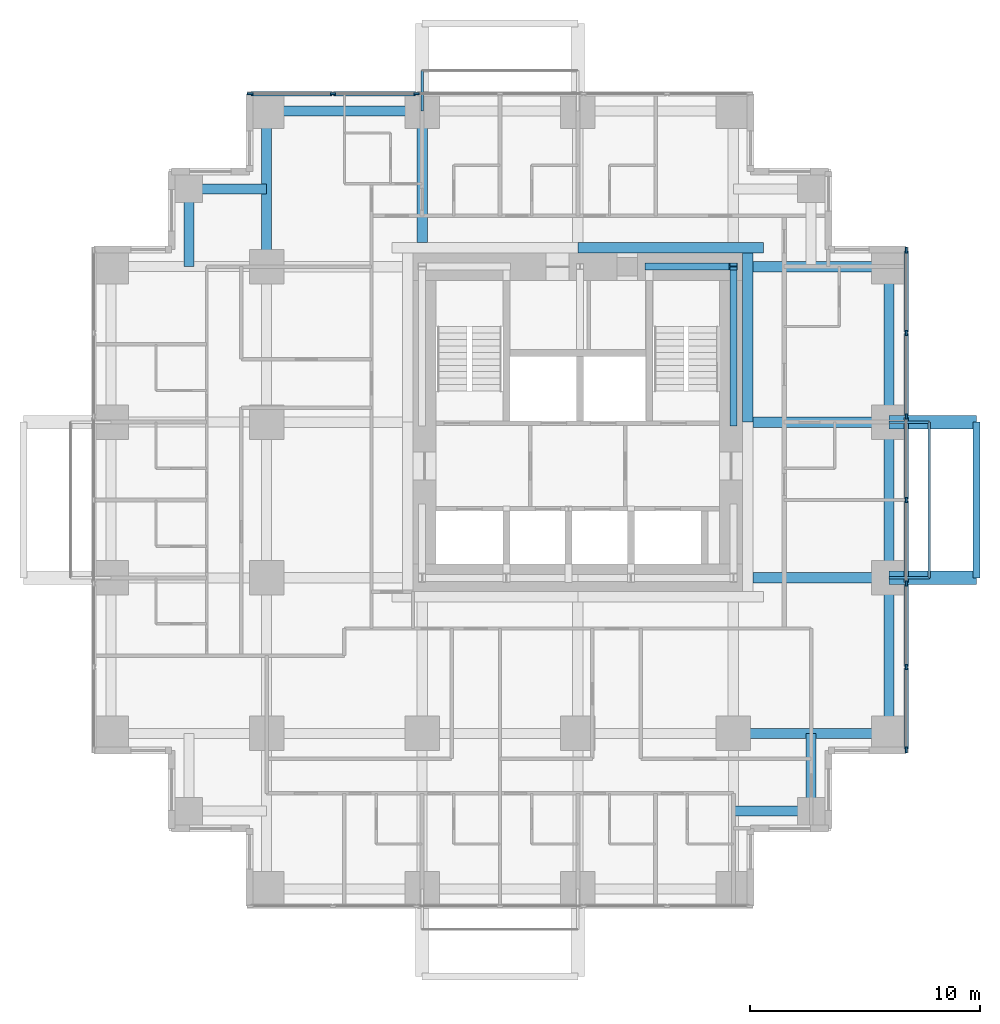
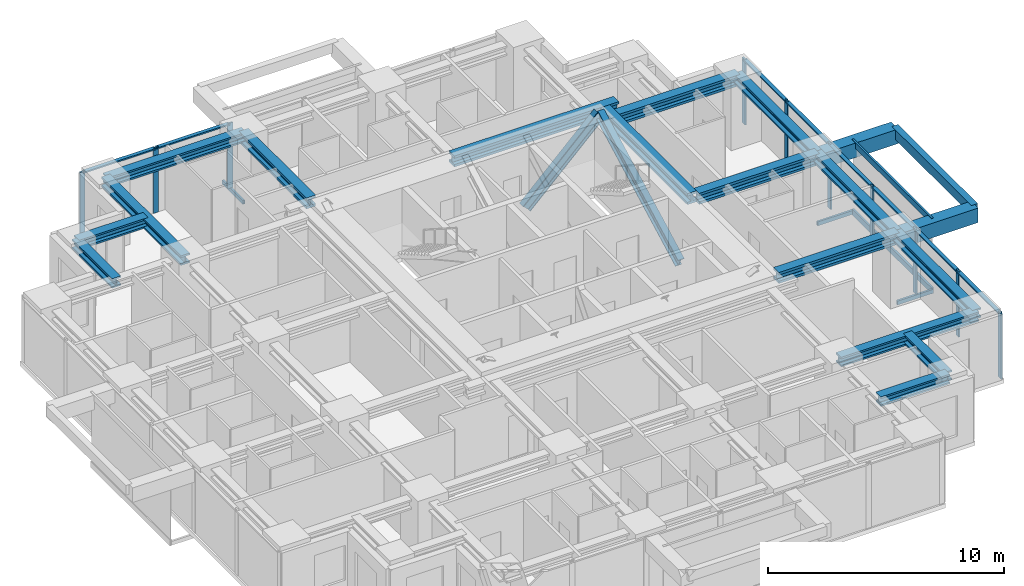
# One storey, part 3 of 11: 25 members, 19 beams, 2 elements without a shape of their own.
"""IFC4 building model written with IfcOpenShell, lengths in metres."""

from ifc_helpers import new_model, si_unit, direction, frame, origin, origin_2d, place, context, subcontext, project, spatial, rectangle, hollow_rectangle, i_section, extrude, material, material_profile, profile_set, type_object, element, aggregate, save


model = new_model("IFC4")

# Units and contexts
model_context = context("Model", 3, precision=1e-05, world=origin(), true_north=direction((0.0, 1.0)))
body_context = subcontext(model_context, "Body", "Model", "MODEL_VIEW")
ifc_project = project(units=[si_unit("LENGTHUNIT", "METRE"), si_unit("AREAUNIT", "SQUARE_METRE"), si_unit("VOLUMEUNIT", "CUBIC_METRE"), si_unit("PLANEANGLEUNIT", "RADIAN"), si_unit("MASSUNIT", "GRAM", prefix="KILO")], contexts=[model_context])

# Site, building, storey
site_placement = place(None, origin())
site = spatial("IfcSite", under=ifc_project, at=site_placement, CompositionType="ELEMENT")
building_placement = place(site_placement, origin())
building = spatial("IfcBuilding", under=site, at=building_placement, Name="Nyansa Garden Tower", CompositionType="ELEMENT")
storey_placement = place(building_placement, frame((0.0, 0.0, 160.199951171875)))
storey = spatial("IfcBuildingStorey", under=building, at=storey_placement, Name="L43", CompositionType="ELEMENT", Elevation=160.199951171875)

# Beams
ifc_material_1 = material(Name="Concrete C70/85", Category="concrete")
ifc_material_profile_1 = material_profile(ifc_material_1, rectangle(XDim=0.60009765625, YDim=0.75, at=origin_2d()), Name="RC 600x750")
ifc_profile_set_1 = profile_set([ifc_material_profile_1], Name="Concrete C70/85")
beam_type_1 = type_object("IfcBeamType", Name="Balcony cantilever beam CB1 RC 600x750", PredefinedType="BEAM", material=ifc_profile_set_1)
for number, where, z_axis, x_axis, name in (
    (1, (33.75, 13.5, 2.985107421875), (1.0, 0.0, 0.0), (0.0, 1.0, 0.0), "Balcony cantilever beam L44"),
    (2, (33.75, 20.25, 2.985107421875), (1.0, 0.0, 0.0), (0.0, 1.0, 0.0), "Balcony cantilever beam L44"),
):
    element("IfcBeam", number, at=place(storey_placement, frame(where, z_axis=z_axis, x_axis=x_axis)), inside=storey, type_object=beam_type_1, Name=name, PredefinedType="BEAM", context=body_context, shape_type="SweptSolid", body=[
        extrude(rectangle(XDim=0.60009765625, YDim=0.75, at=origin_2d()), origin(), (0.0, 0.0, 1.0), 3.800048828125),
    ])
ifc_material_2 = material(Name="Concrete C70/85", Category="concrete")
ifc_material_profile_2 = material_profile(ifc_material_2, rectangle(XDim=0.300048828125, YDim=0.5, at=origin_2d()), Name="RC 300x500")
ifc_profile_set_2 = profile_set([ifc_material_profile_2], Name="Concrete C70/85")
beam_type_2 = type_object("IfcBeamType", Name="Balcony edge beam BE1 RC 300x500", PredefinedType="BEAM", material=ifc_profile_set_2)
beam_1_placement = place(storey_placement, frame((37.550048828125, 13.5, 3.110107421875), z_axis=(0.0, 1.0, 0.0), x_axis=(-1.0, 0.0, 0.0)))
element("IfcBeam", 3, at=beam_1_placement, inside=storey, type_object=beam_type_2, Name="Balcony edge beam L44", PredefinedType="BEAM", context=body_context, shape_type="SweptSolid", body=[
    extrude(rectangle(XDim=0.300048828125, YDim=0.5, at=origin_2d()), origin(), (0.0, 0.0, 1.0), 6.75),
])

# Curtain wall, members
ifc_material_3 = material(Name="Black anodised aluminium, dark tinted double glazing", Category="aluminium")
curtain_wall_type = type_object("IfcCurtainWallType", Name="Inner skin curtain wall ISW-C", PredefinedType="USERDEFINED", material=ifc_material_3)
curtain_wall_1_placement = place(storey_placement, origin())
curtain_wall_1 = element("IfcCurtainWall", 4, at=curtain_wall_1_placement, inside=storey, type_object=curtain_wall_type, Name="Inner skin curtain wall L43 E", ObjectType="UNITISED CURTAIN WALL", PredefinedType="USERDEFINED")
ifc_material_4 = material(Name="Black anodised aluminium", Category="aluminium")
ifc_material_profile_3 = material_profile(ifc_material_4, rectangle(XDim=0.070068359375, YDim=0.25, at=origin_2d()), Name="Mullion 250x70")
ifc_profile_set_3 = profile_set([ifc_material_profile_3], Name="Black anodised aluminium")
member_type_1 = type_object("IfcMemberType", Name="Mullion ISW-C 250x70", PredefinedType="MULLION", material=ifc_profile_set_3)
member_1_placement = place(storey_placement, frame((34.5, 6.034912109375, 0.0), z_axis=(0.0, 0.0, 1.0), x_axis=(-1.0, 0.0, 0.0)))
member_1 = element("IfcMember", 5, at=member_1_placement, type_object=member_type_1, Name="ISW-C mullion 1", PredefinedType="MULLION", context=body_context, shape_type="SweptSolid", body=[
    extrude(rectangle(XDim=0.070068359375, YDim=0.25, at=origin_2d()), origin(), (0.0, 0.0, 1.0), 3.375),
])
member_2_placement = place(storey_placement, frame((34.5, 9.625, 0.0), z_axis=(0.0, 0.0, 1.0), x_axis=(-1.0, 0.0, 0.0)))
member_2 = element("IfcMember", 6, at=member_2_placement, type_object=member_type_1, Name="ISW-C mullion 2", PredefinedType="MULLION", context=body_context, shape_type="SweptSolid", body=[
    extrude(rectangle(XDim=0.070068359375, YDim=0.25, at=origin_2d()), origin(), (0.0, 0.0, 1.0), 3.375),
])
member_3_placement = place(storey_placement, frame((34.5, 13.25, 0.0), z_axis=(0.0, 0.0, 1.0), x_axis=(-1.0, 0.0, 0.0)))
member_3 = element("IfcMember", 7, at=member_3_placement, type_object=member_type_1, Name="ISW-C mullion 3", PredefinedType="MULLION", context=body_context, shape_type="SweptSolid", body=[
    extrude(rectangle(XDim=0.070068359375, YDim=0.25, at=origin_2d()), origin(), (0.0, 0.0, 1.0), 3.375),
])
member_4_placement = place(storey_placement, frame((34.5, 16.875, 0.0), z_axis=(0.0, 0.0, 1.0), x_axis=(-1.0, 0.0, 0.0)))
member_4 = element("IfcMember", 8, at=member_4_placement, type_object=member_type_1, Name="ISW-C mullion 4", PredefinedType="MULLION", context=body_context, shape_type="SweptSolid", body=[
    extrude(rectangle(XDim=0.070068359375, YDim=0.25, at=origin_2d()), origin(), (0.0, 0.0, 1.0), 3.375),
])
member_5_placement = place(storey_placement, frame((34.5, 20.5, 0.0), z_axis=(0.0, 0.0, 1.0), x_axis=(-1.0, 0.0, 0.0)))
member_5 = element("IfcMember", 9, at=member_5_placement, type_object=member_type_1, Name="ISW-C mullion 5", PredefinedType="MULLION", context=body_context, shape_type="SweptSolid", body=[
    extrude(rectangle(XDim=0.070068359375, YDim=0.25, at=origin_2d()), origin(), (0.0, 0.0, 1.0), 3.375),
])
member_6_placement = place(storey_placement, frame((34.5, 24.125, 0.0), z_axis=(0.0, 0.0, 1.0), x_axis=(-1.0, 0.0, 0.0)))
member_6 = element("IfcMember", 10, at=member_6_placement, type_object=member_type_1, Name="ISW-C mullion 6", PredefinedType="MULLION", context=body_context, shape_type="SweptSolid", body=[
    extrude(rectangle(XDim=0.070068359375, YDim=0.25, at=origin_2d()), origin(), (0.0, 0.0, 1.0), 3.375),
])
member_7_placement = place(storey_placement, frame((34.5, 27.715087890625, 0.0), z_axis=(0.0, 0.0, 1.0), x_axis=(-1.0, 0.0, 0.0)))
member_7 = element("IfcMember", 11, at=member_7_placement, type_object=member_type_1, Name="ISW-C mullion 7", PredefinedType="MULLION", context=body_context, shape_type="SweptSolid", body=[
    extrude(rectangle(XDim=0.070068359375, YDim=0.25, at=origin_2d()), origin(), (0.0, 0.0, 1.0), 3.375),
])

curtain_wall_2_placement = place(storey_placement, origin())
curtain_wall_2 = element("IfcCurtainWall", 12, at=curtain_wall_2_placement, inside=storey, type_object=curtain_wall_type, Name="Inner skin curtain wall L43 N", ObjectType="UNITISED CURTAIN WALL", PredefinedType="USERDEFINED")
member_8_placement = place(storey_placement, frame((13.25, 34.5, 0.0), z_axis=(0.0, 0.0, 1.0), x_axis=(0.0, -1.0, 0.0)))
member_8 = element("IfcMember", 13, at=member_8_placement, type_object=member_type_1, Name="ISW-C mullion 5", PredefinedType="MULLION", context=body_context, shape_type="SweptSolid", body=[
    extrude(rectangle(XDim=0.070068359375, YDim=0.25, at=origin_2d()), origin(), (0.0, 0.0, 1.0), 3.375),
])
member_9_placement = place(storey_placement, frame((9.625, 34.5, 0.0), z_axis=(0.0, 0.0, 1.0), x_axis=(0.0, -1.0, 0.0)))
member_9 = element("IfcMember", 14, at=member_9_placement, type_object=member_type_1, Name="ISW-C mullion 6", PredefinedType="MULLION", context=body_context, shape_type="SweptSolid", body=[
    extrude(rectangle(XDim=0.070068359375, YDim=0.25, at=origin_2d()), origin(), (0.0, 0.0, 1.0), 3.375),
])
member_10_placement = place(storey_placement, frame((6.034912109375, 34.5, 0.0), z_axis=(0.0, 0.0, 1.0), x_axis=(0.0, -1.0, 0.0)))
member_10 = element("IfcMember", 15, at=member_10_placement, type_object=member_type_1, Name="ISW-C mullion 7", PredefinedType="MULLION", context=body_context, shape_type="SweptSolid", body=[
    extrude(rectangle(XDim=0.070068359375, YDim=0.25, at=origin_2d()), origin(), (0.0, 0.0, 1.0), 3.375),
])

# Members
ifc_material_5 = material(Name="Steel S355, black powder coated", Category="steel")
ifc_material_profile_4 = material_profile(ifc_material_5, hollow_rectangle(XDim=0.10009765625, YDim=0.199951171875, WallThickness=0.008056640625, at=origin_2d()), Name="RHS 200x100x8")
ifc_profile_set_4 = profile_set([ifc_material_profile_4], Name="Steel S355, black powder coated")
member_type_2 = type_object("IfcMemberType", Name="Outer skin bracket arm RHS 200x100x8", PredefinedType="USERDEFINED", material=ifc_profile_set_4)
for number, where, z_axis, x_axis, name in (
    (16, (33.75, 13.5, -0.375), (1.0, 0.0, 0.0), (0.0, 1.0, 0.0), "Outer skin bracket arm"),
    (17, (33.75, 20.25, -0.375), (1.0, 0.0, 0.0), (0.0, 1.0, 0.0), "Outer skin bracket arm"),
    (18, (13.5, 33.75, -0.375), (0.0, 1.0, 0.0), (-1.0, 0.0, 0.0), "Outer skin bracket arm"),
):
    element("IfcMember", number, at=place(storey_placement, frame(where, z_axis=z_axis, x_axis=x_axis)), inside=storey, type_object=member_type_2, Name=name, ObjectType="OUTER SKIN BRACKET", PredefinedType="USERDEFINED", context=body_context, shape_type="SweptSolid", body=[
        extrude(hollow_rectangle(XDim=0.10009765625, YDim=0.199951171875, WallThickness=0.008056640625, at=origin_2d()), origin(), (0.0, 0.0, 1.0), 1.75),
    ])
ifc_material_6 = material(Name="Steel S355, black powder coated", Category="steel")
ifc_material_profile_5 = material_profile(ifc_material_6, hollow_rectangle(XDim=0.10009765625, YDim=0.300048828125, WallThickness=0.010009765625, at=origin_2d()), Name="RHS 300x100x10")
ifc_profile_set_5 = profile_set([ifc_material_profile_5], Name="Steel S355, black powder coated")
member_type_3 = type_object("IfcMemberType", Name="Outer skin rail RHS 300x100x10", PredefinedType="USERDEFINED", material=ifc_profile_set_5)
for number, where, z_axis, x_axis, name in (
    (19, (35.5, 13.5, -0.375), (0.0, 1.0, 0.0), (-1.0, 0.0, 0.0), "Outer skin rail L43"),
    (20, (35.5, 13.5, 3.22509765625), (0.0, 1.0, 0.0), (-1.0, 0.0, 0.0), "Outer skin rail L43 head"),
):
    element("IfcMember", number, at=place(storey_placement, frame(where, z_axis=z_axis, x_axis=x_axis)), inside=storey, type_object=member_type_3, Name=name, ObjectType="OUTER SKIN RAIL", PredefinedType="USERDEFINED", context=body_context, shape_type="SweptSolid", body=[
        extrude(hollow_rectangle(XDim=0.10009765625, YDim=0.300048828125, WallThickness=0.010009765625, at=origin_2d()), origin(), (0.0, 0.0, 1.0), 6.75),
    ])
ifc_material_7 = material(Name="Steel S355", Category="steel")
ifc_material_profile_6 = material_profile(ifc_material_7, i_section(OverallWidth=0.305908203125, OverallDepth=0.52392578125, WebThickness=0.02099609375, FlangeThickness=0.0400390625, FilletRadius=0.027099609375, at=origin_2d()), Name="HE 500 M")
ifc_profile_set_6 = profile_set([ifc_material_profile_6], Name="Steel S355")
member_type_4 = type_object("IfcMemberType", Name="Perimeter brace HE 500 M", PredefinedType="BRACE", material=ifc_profile_set_6)
member_11_placement = place(storey_placement, frame((23.35009765625, 27.0, 0.0), z_axis=(0.711947531702, 0.0, 0.702232662373), x_axis=(0.0, 1.0, 0.0)))
element("IfcMember", 21, at=member_11_placement, inside=storey, type_object=member_type_4, Name="Core brace CN4 L43", PredefinedType="BRACE", context=body_context, shape_type="SweptSolid", body=[
    extrude(i_section(OverallWidth=0.305908203125, OverallDepth=0.52392578125, WebThickness=0.02099609375, FlangeThickness=0.0400390625, FilletRadius=0.027099609375, at=origin_2d()), origin(), (0.0, 0.0, 1.0), 5.126708984375),
])
member_12_placement = place(storey_placement, frame((27.0, 20.199951171875, 0.0), z_axis=(0.0, 0.883784057226, 0.467895009796), x_axis=(-1.0, 0.0, 0.0)))
element("IfcMember", 22, at=member_12_placement, inside=storey, type_object=member_type_4, Name="Core brace CE8 L43", PredefinedType="BRACE", context=body_context, shape_type="SweptSolid", body=[
    extrude(i_section(OverallWidth=0.305908203125, OverallDepth=0.52392578125, WebThickness=0.02099609375, FlangeThickness=0.0400390625, FilletRadius=0.027099609375, at=origin_2d()), origin(), (0.0, 0.0, 1.0), 7.6943359375),
])

# Beams
ifc_material_8 = material(Name="Steel S355", Category="steel")
ifc_material_profile_7 = material_profile(ifc_material_8, i_section(OverallWidth=0.431884765625, OverallDepth=0.498046875, WebThickness=0.0556640625, FlangeThickness=0.0888671875, FilletRadius=0.014892578125, at=origin_2d()), Name="HD 400x744")
ifc_profile_set_7 = profile_set([ifc_material_profile_7], Name="Steel S355")
beam_type_3 = type_object("IfcBeamType", Name="Steel beam SBC1-744 HD 400x744", PredefinedType="BEAM", material=ifc_profile_set_7)
for number, where, z_axis, x_axis, name in (
    (23, (6.75, 27.0, 3.1259765625), (0.0, 1.0, 0.0), (-1.0, 0.0, 0.0), "Steel beam 3/H-3/J L44"),
    (24, (27.0, 6.75, 3.1259765625), (1.0, 0.0, 0.0), (0.0, 1.0, 0.0), "Steel beam 6/E-7/E L44"),
):
    element("IfcBeam", number, at=place(storey_placement, frame(where, z_axis=z_axis, x_axis=x_axis)), inside=storey, type_object=beam_type_3, Name=name, PredefinedType="BEAM", context=body_context, shape_type="SweptSolid", body=[
        extrude(i_section(OverallWidth=0.431884765625, OverallDepth=0.498046875, WebThickness=0.0556640625, FlangeThickness=0.0888671875, FilletRadius=0.014892578125, at=origin_2d()), origin(), (0.0, 0.0, 1.0), 6.75),
    ])
ifc_material_9 = material(Name="Steel S355", Category="steel")
ifc_material_profile_8 = material_profile(ifc_material_9, i_section(OverallWidth=0.4541015625, OverallDepth=0.569091796875, WebThickness=0.077880859375, FlangeThickness=0.125, FilletRadius=0.014892578125, at=origin_2d()), Name="HD 400x1086")
ifc_profile_set_8 = profile_set([ifc_material_profile_8], Name="Steel S355")
beam_type_4 = type_object("IfcBeamType", Name="Steel beam SCL-1086 HD 400x1086", PredefinedType="BEAM", material=ifc_profile_set_8)
beam_2_placement = place(storey_placement, frame((13.5, 28.050048828125, 3.090576171875), z_axis=(0.0, 1.0, 0.0), x_axis=(-1.0, 0.0, 0.0)))
element("IfcBeam", 25, at=beam_2_placement, inside=storey, type_object=beam_type_4, Name="Steel beam 4/28.050-4/J L44", PredefinedType="BEAM", context=body_context, shape_type="SweptSolid", body=[
    extrude(i_section(OverallWidth=0.4541015625, OverallDepth=0.569091796875, WebThickness=0.077880859375, FlangeThickness=0.125, FilletRadius=0.014892578125, at=origin_2d()), origin(), (0.0, 0.0, 1.0), 5.699951171875),
])
for number, where, z_axis, x_axis, name in (
    (26, (27.85009765625, 13.5, 3.090576171875), (1.0, 0.0, 0.0), (0.0, 1.0, 0.0), "Steel beam 27.850/F-7/F L44"),
    (27, (27.85009765625, 20.25, 3.090576171875), (1.0, 0.0, 0.0), (0.0, 1.0, 0.0), "Steel beam 27.850/G-7/G L44"),
    (28, (27.85009765625, 27.0, 3.090576171875), (1.0, 0.0, 0.0), (0.0, 1.0, 0.0), "Steel beam 27.850/H-7/H L44"),
):
    element("IfcBeam", number, at=place(storey_placement, frame(where, z_axis=z_axis, x_axis=x_axis)), inside=storey, type_object=beam_type_4, Name=name, PredefinedType="BEAM", context=body_context, shape_type="SweptSolid", body=[
        extrude(i_section(OverallWidth=0.4541015625, OverallDepth=0.569091796875, WebThickness=0.077880859375, FlangeThickness=0.125, FilletRadius=0.014892578125, at=origin_2d()), origin(), (0.0, 0.0, 1.0), 5.89990234375),
    ])
beam_3_placement = place(storey_placement, frame((27.626953125, 20.25, 3.090576171875), z_axis=(0.0, 1.0, 0.0), x_axis=(-1.0, 0.0, 0.0)))
element("IfcBeam", 29, at=beam_3_placement, inside=storey, type_object=beam_type_4, Name="Steel core ledger beam E.2 L44", PredefinedType="BEAM", context=body_context, shape_type="SweptSolid", body=[
    extrude(i_section(OverallWidth=0.4541015625, OverallDepth=0.569091796875, WebThickness=0.077880859375, FlangeThickness=0.125, FilletRadius=0.014892578125, at=origin_2d()), origin(), (0.0, 0.0, 1.0), 7.35009765625),
])
beam_4_placement = place(storey_placement, frame((28.300048828125, 27.826904296875, 3.090576171875), z_axis=(-1.0, 0.0, 0.0), x_axis=(0.0, -1.0, 0.0)))
element("IfcBeam", 30, at=beam_4_placement, inside=storey, type_object=beam_type_4, Name="Steel core ledger beam N.1 L44", PredefinedType="BEAM", context=body_context, shape_type="SweptSolid", body=[
    extrude(i_section(OverallWidth=0.4541015625, OverallDepth=0.569091796875, WebThickness=0.077880859375, FlangeThickness=0.125, FilletRadius=0.014892578125, at=origin_2d()), origin(), (0.0, 0.0, 1.0), 8.050048828125),
])
ifc_material_10 = material(Name="Steel S355", Category="steel")
ifc_material_profile_9 = material_profile(ifc_material_10, i_section(OverallWidth=0.431884765625, OverallDepth=0.498046875, WebThickness=0.0556640625, FlangeThickness=0.0888671875, FilletRadius=0.014892578125, at=origin_2d()), Name="HD 400x744")
ifc_profile_set_9 = profile_set([ifc_material_profile_9], Name="Steel S355")
beam_type_5 = type_object("IfcBeamType", Name="Steel beam SEBC-744 HD 400x744", PredefinedType="BEAM", material=ifc_profile_set_9)
for number, where, z_axis, x_axis, name in (
    (31, (6.75, 33.75, 3.1259765625), (1.0, 0.0, 0.0), (0.0, 1.0, 0.0), "Steel edge beam 3/J-4/J L44"),
    (32, (33.75, 6.75, 3.1259765625), (0.0, 1.0, 0.0), (-1.0, 0.0, 0.0), "Steel edge beam 7/E-7/F L44"),
    (33, (33.75, 13.5, 3.1259765625), (0.0, 1.0, 0.0), (-1.0, 0.0, 0.0), "Steel edge beam 7/F-7/G L44"),
    (34, (33.75, 20.25, 3.1259765625), (0.0, 1.0, 0.0), (-1.0, 0.0, 0.0), "Steel edge beam 7/G-7/H L44"),
):
    element("IfcBeam", number, at=place(storey_placement, frame(where, z_axis=z_axis, x_axis=x_axis)), inside=storey, type_object=beam_type_5, Name=name, PredefinedType="BEAM", context=body_context, shape_type="SweptSolid", body=[
        extrude(i_section(OverallWidth=0.431884765625, OverallDepth=0.498046875, WebThickness=0.0556640625, FlangeThickness=0.0888671875, FilletRadius=0.014892578125, at=origin_2d()), origin(), (0.0, 0.0, 1.0), 6.75),
    ])
ifc_material_11 = material(Name="Steel S355", Category="steel")
ifc_material_profile_10 = material_profile(ifc_material_11, i_section(OverallWidth=0.431884765625, OverallDepth=0.498046875, WebThickness=0.0556640625, FlangeThickness=0.0888671875, FilletRadius=0.014892578125, at=origin_2d()), Name="HD 400x744")
ifc_profile_set_10 = profile_set([ifc_material_profile_10], Name="Steel S355")
beam_type_6 = type_object("IfcBeamType", Name="Steel beam SSB1-744 HD 400x744", PredefinedType="BEAM", material=ifc_profile_set_10)
for number, where, z_axis, x_axis, name in (
    (35, (30.375, 3.375, 3.1259765625), (0.0, 1.0, 0.0), (-1.0, 0.0, 0.0), "Steel step beam 30.375/3.375 L44"),
    (36, (30.375, 3.375, 3.1259765625), (-1.0, 0.0, 0.0), (0.0, -1.0, 0.0), "Steel step beam 30.375/3.375 L44"),
    (37, (3.375, 30.375, 3.1259765625), (0.0, -1.0, 0.0), (1.0, 0.0, 0.0), "Steel step beam 3.375/30.375 L44"),
    (38, (3.375, 30.375, 3.1259765625), (1.0, 0.0, 0.0), (0.0, 1.0, 0.0), "Steel step beam 3.375/30.375 L44"),
):
    element("IfcBeam", number, at=place(storey_placement, frame(where, z_axis=z_axis, x_axis=x_axis)), inside=storey, type_object=beam_type_6, Name=name, PredefinedType="BEAM", context=body_context, shape_type="SweptSolid", body=[
        extrude(i_section(OverallWidth=0.431884765625, OverallDepth=0.498046875, WebThickness=0.0556640625, FlangeThickness=0.0888671875, FilletRadius=0.014892578125, at=origin_2d()), origin(), (0.0, 0.0, 1.0), 3.375),
    ])

# Member
ifc_material_12 = material(Name="Black anodised aluminium", Category="aluminium")
ifc_material_profile_11 = material_profile(ifc_material_12, rectangle(XDim=0.179931640625, YDim=0.070068359375, at=origin_2d()), Name="Transom 180x70")
ifc_profile_set_11 = profile_set([ifc_material_profile_11], Name="Black anodised aluminium")
member_type_5 = type_object("IfcMemberType", Name="Transom ISW-C 180x70", PredefinedType="USERDEFINED", material=ifc_profile_set_11)
member_13_placement = place(storey_placement, frame((34.5, 6.070068359375, 3.340087890625), z_axis=(0.0, 1.0, 0.0), x_axis=(-1.0, 0.0, 0.0)))
member_13 = element("IfcMember", 39, at=member_13_placement, type_object=member_type_5, Name="ISW-C transom 1", ObjectType="TRANSOM", PredefinedType="USERDEFINED", context=body_context, shape_type="SweptSolid", body=[
    extrude(rectangle(XDim=0.179931640625, YDim=0.070068359375, at=origin_2d()), origin(), (0.0, 0.0, 1.0), 3.52001953125),
])

member_14_placement = place(storey_placement, frame((34.5, 9.659912109375, 3.340087890625), z_axis=(0.0, 1.0, 0.0), x_axis=(-1.0, 0.0, 0.0)))
member_14 = element("IfcMember", 40, at=member_14_placement, type_object=member_type_5, Name="ISW-C transom 2", ObjectType="TRANSOM", PredefinedType="USERDEFINED", context=body_context, shape_type="SweptSolid", body=[
    extrude(rectangle(XDim=0.179931640625, YDim=0.070068359375, at=origin_2d()), origin(), (0.0, 0.0, 1.0), 3.55517578125),
])

member_15_placement = place(storey_placement, frame((34.5, 13.284912109375, 3.340087890625), z_axis=(0.0, 1.0, 0.0), x_axis=(-1.0, 0.0, 0.0)))
member_15 = element("IfcMember", 41, at=member_15_placement, type_object=member_type_5, Name="ISW-C transom 3", ObjectType="TRANSOM", PredefinedType="USERDEFINED", context=body_context, shape_type="SweptSolid", body=[
    extrude(rectangle(XDim=0.179931640625, YDim=0.070068359375, at=origin_2d()), origin(), (0.0, 0.0, 1.0), 3.55517578125),
])

member_16_placement = place(storey_placement, frame((34.5, 16.909912109375, 3.340087890625), z_axis=(0.0, 1.0, 0.0), x_axis=(-1.0, 0.0, 0.0)))
member_16 = element("IfcMember", 42, at=member_16_placement, type_object=member_type_5, Name="ISW-C transom 4", ObjectType="TRANSOM", PredefinedType="USERDEFINED", context=body_context, shape_type="SweptSolid", body=[
    extrude(rectangle(XDim=0.179931640625, YDim=0.070068359375, at=origin_2d()), origin(), (0.0, 0.0, 1.0), 3.55517578125),
])

member_17_placement = place(storey_placement, frame((34.5, 20.534912109375, 3.340087890625), z_axis=(0.0, 1.0, 0.0), x_axis=(-1.0, 0.0, 0.0)))
member_17 = element("IfcMember", 43, at=member_17_placement, type_object=member_type_5, Name="ISW-C transom 5", ObjectType="TRANSOM", PredefinedType="USERDEFINED", context=body_context, shape_type="SweptSolid", body=[
    extrude(rectangle(XDim=0.179931640625, YDim=0.070068359375, at=origin_2d()), origin(), (0.0, 0.0, 1.0), 3.55517578125),
])

member_18_placement = place(storey_placement, frame((34.5, 24.159912109375, 3.340087890625), z_axis=(0.0, 1.0, 0.0), x_axis=(-1.0, 0.0, 0.0)))
member_18 = element("IfcMember", 44, at=member_18_placement, type_object=member_type_5, Name="ISW-C transom 6", ObjectType="TRANSOM", PredefinedType="USERDEFINED", context=body_context, shape_type="SweptSolid", body=[
    extrude(rectangle(XDim=0.179931640625, YDim=0.070068359375, at=origin_2d()), origin(), (0.0, 0.0, 1.0), 3.52001953125),
])

aggregate(curtain_wall_1, [member_1, member_2, member_3, member_4, member_5, member_6, member_7, member_13, member_14, member_15, member_16, member_17, member_18])

member_19_placement = place(storey_placement, frame((13.215087890625, 34.5, 3.340087890625), z_axis=(-1.0, 0.0, 0.0), x_axis=(0.0, -1.0, 0.0)))
member_19 = element("IfcMember", 45, at=member_19_placement, type_object=member_type_5, Name="ISW-C transom 5", ObjectType="TRANSOM", PredefinedType="USERDEFINED", context=body_context, shape_type="SweptSolid", body=[
    extrude(rectangle(XDim=0.179931640625, YDim=0.070068359375, at=origin_2d()), origin(), (0.0, 0.0, 1.0), 3.55517578125),
])

member_20_placement = place(storey_placement, frame((9.590087890625, 34.5, 3.340087890625), z_axis=(-1.0, 0.0, 0.0), x_axis=(0.0, -1.0, 0.0)))
member_20 = element("IfcMember", 46, at=member_20_placement, type_object=member_type_5, Name="ISW-C transom 6", ObjectType="TRANSOM", PredefinedType="USERDEFINED", context=body_context, shape_type="SweptSolid", body=[
    extrude(rectangle(XDim=0.179931640625, YDim=0.070068359375, at=origin_2d()), origin(), (0.0, 0.0, 1.0), 3.52001953125),
])

aggregate(curtain_wall_2, [member_8, member_9, member_10, member_19, member_20])

save(model, "model.ifc")
